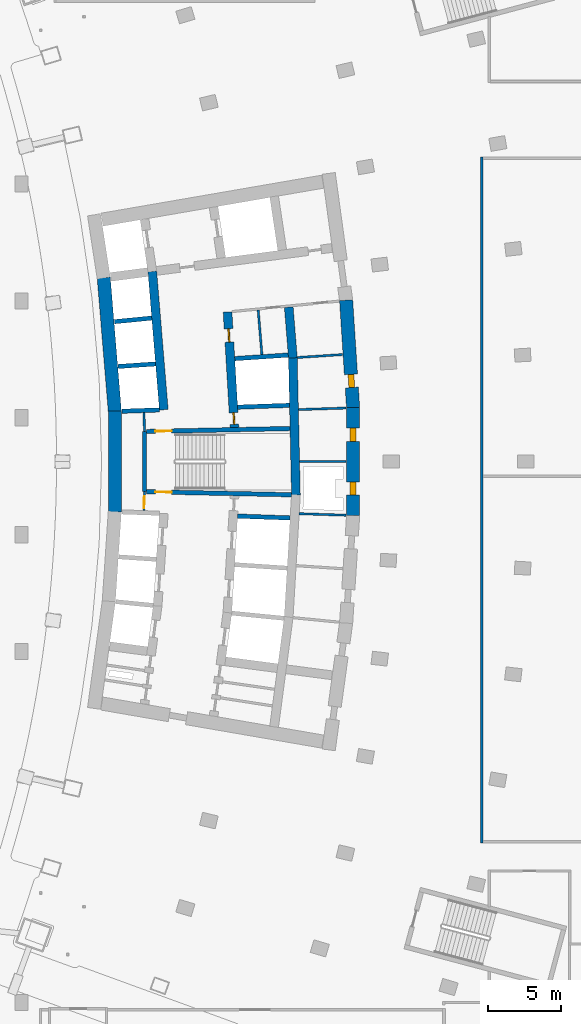
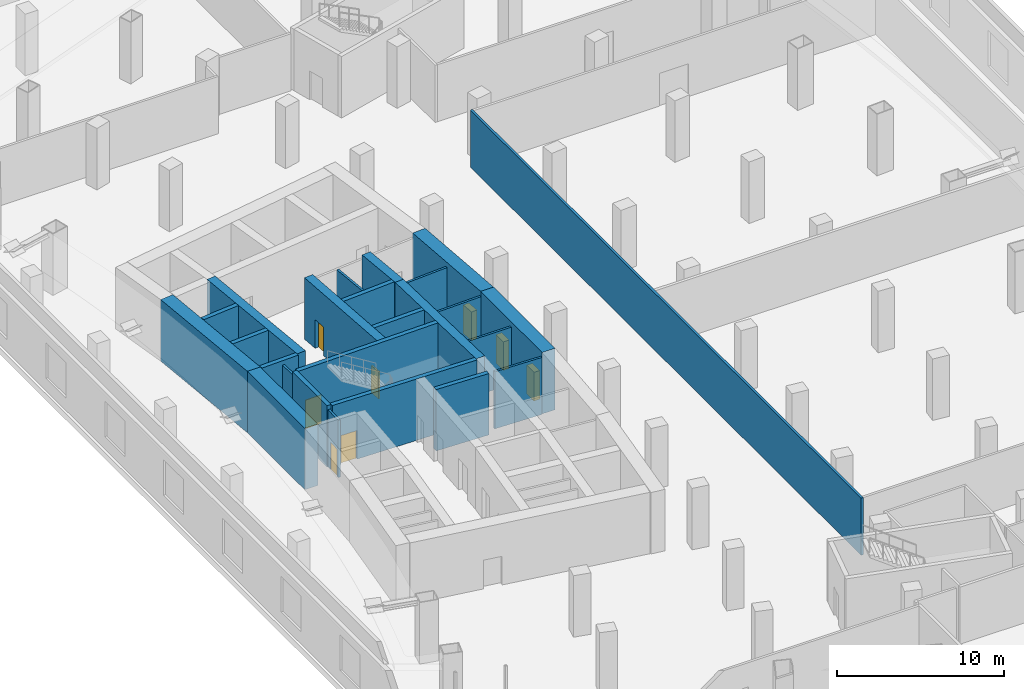
# One storey, part 15 of 19: 25 walls, 8 doors, 8 openings.
"""IFC4 building model written with IfcOpenShell, lengths in metres."""

from ifc_helpers import new_model, si_unit, direction, frame, frame_2d, origin, place, context, subcontext, project, spatial, rectangle, extrude, material, layer, layer_set, type_object, element, fill, save


model = new_model("IFC4")

# Units and contexts
model_context = context("Model", 3, precision=1e-05, world=origin(), true_north=direction((0.0, 1.0)))
body_context = subcontext(model_context, "Body", "Model", "MODEL_VIEW")
ifc_project = project(units=[si_unit("LENGTHUNIT", "METRE"), si_unit("AREAUNIT", "SQUARE_METRE"), si_unit("VOLUMEUNIT", "CUBIC_METRE"), si_unit("PLANEANGLEUNIT", "RADIAN"), si_unit("MASSUNIT", "GRAM", prefix="KILO")], contexts=[model_context])

# Site, building, storey
site_placement = place(None, origin())
site = spatial("IfcSite", under=ifc_project, at=site_placement, CompositionType="ELEMENT")
building_placement = place(site_placement, origin())
building = spatial("IfcBuilding", under=site, at=building_placement, Name="Alderwake Tower", CompositionType="ELEMENT")
storey_placement = place(building_placement, frame((0.0, 0.0, 27.5)))
storey = spatial("IfcBuildingStorey", under=building, at=storey_placement, Name="L05", CompositionType="ELEMENT", Elevation=27.5)

# Wall, opening, door
ifc_material_1 = material(Name="Gypsum shaft wall system, rated")
ifc_layer_1 = layer(ifc_material_1, 0.14990234375)
ifc_layer_set_1 = layer_set([ifc_layer_1], Name="Core room partition 150")
wall_type_1 = type_object("IfcWallType", Name="Core room partition 150", PredefinedType="PARTITIONING", material=ifc_layer_set_1)
wall_1_placement = place(storey_placement, frame((18.918701171875, 58.94384765625, 0.0), z_axis=(0.0, 0.0, 1.0), x_axis=(-0.027348257573, -0.999625966453, 0.0)))
wall_1 = element("IfcWall", 1, at=wall_1_placement, inside=storey, type_object=wall_type_1, Name="CW/L05/PA+24_-37", PredefinedType="PARTITIONING", context=body_context, shape_type="SweptSolid", body=[
    extrude(rectangle(XDim=1.29443359375, YDim=0.14990234375, at=frame_2d((0.647216796875, 0.0))), origin(), (0.0, 0.0, 1.0), 4.179931640625),
])
opening_1_placement = place(wall_1_placement, frame((0.322998046875, 0.0, 0.0)))
opening_1 = element("IfcOpeningElement", 2, at=opening_1_placement, cuts=wall_1, Name="Opening C004", PredefinedType="OPENING", context=body_context, shape_type="SweptSolid", body=[
    extrude(rectangle(XDim=0.800048828125, YDim=2.0, at=frame_2d((0.39990234375, 1.0))), frame((0.0, 0.0849609375, 0.0), z_axis=(0.0, -1.0, 0.0), x_axis=(1.0, 0.0, 0.0)), (0.0, 0.0, 1.0), 0.169921875),
])
ifc_material_2 = material(Name="Painted steel leaf, rated", Category="steel")
door_type_1 = type_object("IfcDoorType", Name="Riser access door 800", OperationType="SINGLE_SWING_LEFT", PredefinedType="DOOR", material=ifc_material_2)
door_1_placement = place(opening_1_placement, origin())
door_1 = element("IfcDoor", 3, at=door_1_placement, inside=storey, type_object=door_type_1, Name="Riser access door", OperationType="SINGLE_SWING_RIGHT", OverallHeight=2.0, OverallWidth=0.800048828125, PredefinedType="DOOR", context=body_context, shape_type="SweptSolid", body=[
    extrude(rectangle(XDim=0.800048828125, YDim=2.0, at=frame_2d((0.39990234375, 1.0))), frame((0.0, 0.02490234375, 0.0), z_axis=(0.0, -1.0, 0.0), x_axis=(1.0, 0.0, 0.0)), (0.0, 0.0, 1.0), 0.050048828125),
])
fill(opening_1, door_1)

# Walls
wall_2_placement = place(storey_placement, frame((18.918701171875, 63.05517578125, 0.0), z_axis=(0.0, 0.0, 1.0), x_axis=(-0.027327648352, 0.999626530078, 0.0)))
element("IfcWall", 4, at=wall_2_placement, inside=storey, type_object=wall_type_1, Name="CW/L05/PA+24_+22", PredefinedType="PARTITIONING", context=body_context, shape_type="SweptSolid", body=[
    extrude(rectangle(XDim=1.29541015625, YDim=0.14990234375, at=frame_2d((0.647705078125, 0.0))), origin(), (0.0, 0.0, 1.0), 4.179931640625),
])
wall_3_placement = place(storey_placement, frame((26.94970703125, 68.3203125, 0.0), z_axis=(0.0, 0.0, 1.0), x_axis=(-0.082463525817, 0.996594083321, 0.0)))
element("IfcWall", 5, at=wall_3_placement, inside=storey, type_object=wall_type_1, Name="CW/L05/PA+107_+70", PredefinedType="PARTITIONING", context=body_context, shape_type="SweptSolid", body=[
    extrude(rectangle(XDim=3.055419921875, YDim=0.14990234375, at=frame_2d((1.52783203125, 0.0))), origin(), (0.0, 0.0, 1.0), 4.179931640625),
])
wall_4_placement = place(storey_placement, frame((29.50048828125, 57.4384765625, 0.0), z_axis=(0.0, 0.0, 1.0), x_axis=(0.999470508275, -0.032537717924, 0.0)))
element("IfcWall", 6, at=wall_4_placement, inside=storey, type_object=wall_type_1, Name="CW/L05/PR-34_+128", PredefinedType="PARTITIONING", context=body_context, shape_type="SweptSolid", body=[
    extrude(rectangle(XDim=3.21142578125, YDim=0.14990234375, at=frame_2d((1.605712890625, 0.0))), origin(), (0.0, 0.0, 1.0), 4.179931640625),
])
wall_5_placement = place(storey_placement, frame((29.526123046875, 61.0, 0.0), z_axis=(0.0, 0.0, 1.0), x_axis=(1.0, 0.0, 0.0)))
element("IfcWall", 7, at=wall_5_placement, inside=storey, type_object=wall_type_1, Name="CW/L05/PR+0_+128", PredefinedType="PARTITIONING", context=body_context, shape_type="SweptSolid", body=[
    extrude(rectangle(XDim=3.18408203125, YDim=0.14990234375, at=frame_2d((1.592041015625, 0.0))), origin(), (0.0, 0.0, 1.0), 4.179931640625),
])
wall_6_placement = place(storey_placement, frame((29.447509765625, 64.559814453125, 0.0), z_axis=(0.0, 0.0, 1.0), x_axis=(0.999470664956, 0.032532904763, 0.0)))
element("IfcWall", 8, at=wall_6_placement, inside=storey, type_object=wall_type_1, Name="CW/L05/PR+34_+128", PredefinedType="PARTITIONING", context=body_context, shape_type="SweptSolid", body=[
    extrude(rectangle(XDim=3.264404296875, YDim=0.14990234375, at=frame_2d((1.63232421875, 0.0))), origin(), (0.0, 0.0, 1.0), 4.179931640625),
])
wall_7_placement = place(storey_placement, frame((29.36865234375, 68.1220703125, 0.0), z_axis=(0.0, 0.0, 1.0), x_axis=(0.997885090452, 0.065002663433, 0.0)))
element("IfcWall", 9, at=wall_7_placement, inside=storey, type_object=wall_type_1, Name="CW/L05/PR+68_+128", PredefinedType="PARTITIONING", context=body_context, shape_type="SweptSolid", body=[
    extrude(rectangle(XDim=3.10986328125, YDim=0.14990234375, at=frame_2d((1.554931640625, 0.0))), origin(), (0.0, 0.0, 1.0), 4.179931640625),
])
ifc_material_3 = material(Name="Concrete C70/85", Category="concrete")
ifc_layer_2 = layer(ifc_material_3, 0.89990234375)
ifc_layer_set_2 = layer_set([ifc_layer_2], Name="Core wall outer 900 C70-85")
wall_type_2 = type_object("IfcWallType", Name="Core wall outer 900 C70-85", PredefinedType="SHEAR", material=ifc_layer_set_2)
wall_8_placement = place(storey_placement, frame((16.889404296875, 57.5546875, 0.0), z_axis=(0.0, 0.0, 1.0), x_axis=(0.0, 1.0, 0.0)))
element("IfcWall", 10, at=wall_8_placement, inside=storey, type_object=wall_type_2, Name="Core wall CW.043", PredefinedType="SHEAR", context=body_context, shape_type="SweptSolid", body=[
    extrude(rectangle(XDim=6.89404296875, YDim=0.89990234375, at=frame_2d((3.447021484375, 0.0))), origin(), (0.0, 0.0, 1.0), 4.5),
])
wall_9_placement = place(storey_placement, frame((16.890869140625, 64.41064453125, 0.0), z_axis=(0.0, 0.0, 1.0), x_axis=(-0.082624275373, 0.996580768989, 0.0)))
element("IfcWall", 11, at=wall_9_placement, inside=storey, type_object=wall_type_2, Name="Core wall CW.040", PredefinedType="SHEAR", context=body_context, shape_type="SweptSolid", body=[
    extrude(rectangle(XDim=9.210205078125, YDim=0.89990234375, at=frame_2d((4.60498046875, 0.0))), origin(), (0.0, 0.0, 1.0), 4.5),
])

# Wall, openings, doors
wall_10_placement = place(storey_placement, frame((33.190185546875, 64.69677734375, 0.0), z_axis=(0.0, 0.0, 1.0), x_axis=(0.0, -1.0, 0.0)))
wall_10 = element("IfcWall", 12, at=wall_10_placement, inside=storey, type_object=wall_type_2, Name="Core wall CW.013", PredefinedType="SHEAR", context=body_context, shape_type="SweptSolid", body=[
    extrude(rectangle(XDim=7.3935546875, YDim=0.89990234375, at=frame_2d((3.69677734375, 0.0))), origin(), (0.0, 0.0, 1.0), 4.5),
])
opening_2_placement = place(wall_10_placement, frame((5.087646484375, 0.0, 0.0)))
opening_2 = element("IfcOpeningElement", 13, at=opening_2_placement, cuts=wall_10, Name="Opening C031", PredefinedType="OPENING", context=body_context, shape_type="SweptSolid", body=[
    extrude(rectangle(XDim=0.89990234375, YDim=2.10009765625, at=frame_2d((0.449951171875, 1.050048828125))), frame((0.0, 0.4599609375, 0.0), z_axis=(0.0, -1.0, 0.0), x_axis=(1.0, 0.0, 0.0)), (0.0, 0.0, 1.0), 0.919921875),
])
opening_3_placement = place(wall_10_placement, frame((1.405517578125, 0.0, 0.0)))
opening_3 = element("IfcOpeningElement", 14, at=opening_3_placement, cuts=wall_10, Name="Opening C034", PredefinedType="OPENING", context=body_context, shape_type="SweptSolid", body=[
    extrude(rectangle(XDim=0.89990234375, YDim=2.10009765625, at=frame_2d((0.449951171875, 1.050048828125))), frame((0.0, 0.4599609375, 0.0), z_axis=(0.0, -1.0, 0.0), x_axis=(1.0, 0.0, 0.0)), (0.0, 0.0, 1.0), 0.919921875),
])
ifc_material_4 = material(Name="Painted steel leaf", Category="steel")
door_type_2 = type_object("IfcDoorType", Name="Core room door 900", OperationType="SINGLE_SWING_LEFT", PredefinedType="DOOR", material=ifc_material_4)
door_2_placement = place(opening_2_placement, origin())
door_2 = element("IfcDoor", 15, at=door_2_placement, inside=storey, type_object=door_type_2, Name="Room door", OperationType="SINGLE_SWING_RIGHT", OverallHeight=2.10009765625, OverallWidth=0.89990234375, PredefinedType="DOOR", context=body_context, shape_type="SweptSolid", body=[
    extrude(rectangle(XDim=0.89990234375, YDim=2.10009765625, at=frame_2d((0.449951171875, 1.050048828125))), frame((0.0, 0.199951171875, 0.0), z_axis=(0.0, -1.0, 0.0), x_axis=(1.0, 0.0, 0.0)), (0.0, 0.0, 1.0), 0.39990234375),
])
fill(opening_2, door_2)
door_3_placement = place(opening_3_placement, origin())
door_3 = element("IfcDoor", 16, at=door_3_placement, inside=storey, type_object=door_type_2, Name="Room door", OperationType="SINGLE_SWING_LEFT", OverallHeight=2.10009765625, OverallWidth=0.89990234375, PredefinedType="DOOR", context=body_context, shape_type="SweptSolid", body=[
    extrude(rectangle(XDim=0.89990234375, YDim=2.10009765625, at=frame_2d((0.449951171875, 1.050048828125))), frame((0.0, 0.199951171875, 0.0), z_axis=(0.0, -1.0, 0.0), x_axis=(1.0, 0.0, 0.0)), (0.0, 0.0, 1.0), 0.39990234375),
])
fill(opening_3, door_3)

# Wall, opening, door
wall_11_placement = place(storey_placement, frame((32.710693359375, 72.04541015625, 0.0), z_axis=(0.0, 0.0, 1.0), x_axis=(0.064976219143, -0.997886812693, 0.0)))
wall_11 = element("IfcWall", 17, at=wall_11_placement, inside=storey, type_object=wall_type_2, Name="Core wall CW.010", PredefinedType="SHEAR", context=body_context, shape_type="SweptSolid", body=[
    extrude(rectangle(XDim=7.39453125, YDim=0.89990234375, at=frame_2d((3.697265625, 0.0))), origin(), (0.0, 0.0, 1.0), 4.5),
])
opening_4_placement = place(wall_11_placement, frame((5.089111328125, 0.0, 0.0)))
opening_4 = element("IfcOpeningElement", 18, at=opening_4_placement, cuts=wall_11, Name="Opening C035", PredefinedType="OPENING", context=body_context, shape_type="SweptSolid", body=[
    extrude(rectangle(XDim=0.89990234375, YDim=2.10009765625, at=frame_2d((0.449951171875, 1.050048828125))), frame((0.0, 0.4599609375, 0.0), z_axis=(0.0, -1.0, 0.0), x_axis=(1.0, 0.0, 0.0)), (0.0, 0.0, 1.0), 0.919921875),
])
door_4_placement = place(opening_4_placement, origin())
door_4 = element("IfcDoor", 19, at=door_4_placement, inside=storey, type_object=door_type_2, Name="Room door", OperationType="SINGLE_SWING_RIGHT", OverallHeight=2.10009765625, OverallWidth=0.89990234375, PredefinedType="DOOR", context=body_context, shape_type="SweptSolid", body=[
    extrude(rectangle(XDim=0.89990234375, YDim=2.10009765625, at=frame_2d((0.449951171875, 1.050048828125))), frame((0.0, 0.199951171875, 0.0), z_axis=(0.0, -1.0, 0.0), x_axis=(1.0, 0.0, 0.0)), (0.0, 0.0, 1.0), 0.39990234375),
])
fill(opening_4, door_4)

# Walls
ifc_material_5 = material(Name="Concrete C70/85", Category="concrete")
ifc_layer_3 = layer(ifc_material_5, 0.300048828125)
ifc_layer_set_3 = layer_set([ifc_layer_3], Name="Core wall shaft 300 C70-85")
wall_type_3 = type_object("IfcWallType", Name="Core wall shaft 300 C70-85", PredefinedType="SHEAR", material=ifc_layer_set_3)
wall_12_placement = place(storey_placement, frame((25.29052734375, 57.27294921875, 0.0), z_axis=(0.0, 0.0, 1.0), x_axis=(0.99937585491, -0.035325636908, 0.0)))
element("IfcWall", 20, at=wall_12_placement, inside=storey, type_object=wall_type_3, Name="Core wall CW.077", PredefinedType="SHEAR", context=body_context, shape_type="SweptSolid", body=[
    extrude(rectangle(XDim=3.59375, YDim=0.300048828125, at=frame_2d((1.796875, 0.0))), origin(), (0.0, 0.0, 1.0), 4.5),
])
wall_13_placement = place(storey_placement, frame((17.369384765625, 64.446533203125, 0.0), z_axis=(0.0, 0.0, 1.0), x_axis=(0.999371660382, 0.035444102817, 0.0)))
element("IfcWall", 21, at=wall_13_placement, inside=storey, type_object=wall_type_3, Name="Core wall CW.059", PredefinedType="SHEAR", context=body_context, shape_type="SweptSolid", body=[
    extrude(rectangle(XDim=2.5693359375, YDim=0.300048828125, at=frame_2d((1.28466796875, 0.0))), origin(), (0.0, 0.0, 1.0), 4.5),
])
wall_14_placement = place(storey_placement, frame((25.291259765625, 64.72705078125, 0.0), z_axis=(0.0, 0.0, 1.0), x_axis=(0.999373231824, 0.035399767136, 0.0)))
element("IfcWall", 22, at=wall_14_placement, inside=storey, type_object=wall_type_3, Name="Core wall CW.060", PredefinedType="SHEAR", context=body_context, shape_type="SweptSolid", body=[
    extrude(rectangle(XDim=3.5517578125, YDim=0.300048828125, at=frame_2d((1.77587890625, 0.0))), origin(), (0.0, 0.0, 1.0), 4.5),
])
wall_15_placement = place(storey_placement, frame((17.115478515625, 67.510498046875, 0.0), z_axis=(0.0, 0.0, 1.0), x_axis=(0.99775517309, 0.06696726493, 0.0)))
element("IfcWall", 23, at=wall_15_placement, inside=storey, type_object=wall_type_3, Name="Core wall CW.062", PredefinedType="SHEAR", context=body_context, shape_type="SweptSolid", body=[
    extrude(rectangle(XDim=2.566650390625, YDim=0.300048828125, at=frame_2d((1.283203125, 0.0))), origin(), (0.0, 0.0, 1.0), 4.5),
])
wall_16_placement = place(storey_placement, frame((25.09228515625, 68.04541015625, 0.0), z_axis=(0.0, 0.0, 1.0), x_axis=(0.997760946222, 0.066881194621, 0.0)))
element("IfcWall", 24, at=wall_16_placement, inside=storey, type_object=wall_type_3, Name="Core wall CW.063", PredefinedType="SHEAR", context=body_context, shape_type="SweptSolid", body=[
    extrude(rectangle(XDim=3.668701171875, YDim=0.300048828125, at=frame_2d((1.83447265625, 0.0))), origin(), (0.0, 0.0, 1.0), 4.5),
])
wall_17_placement = place(storey_placement, frame((16.86181640625, 70.571533203125, 0.0), z_axis=(0.0, 0.0, 1.0), x_axis=(0.995151424955, 0.098354671516, 0.0)))
element("IfcWall", 25, at=wall_17_placement, inside=storey, type_object=wall_type_3, Name="Core wall CW.050", PredefinedType="SHEAR", context=body_context, shape_type="SweptSolid", body=[
    extrude(rectangle(XDim=2.566650390625, YDim=0.300048828125, at=frame_2d((1.283203125, 0.0))), origin(), (0.0, 0.0, 1.0), 4.5),
])
ifc_material_6 = material(Name="Concrete C70/85", Category="concrete")
ifc_layer_4 = layer(ifc_material_6, 0.60009765625)
ifc_layer_set_4 = layer_set([ifc_layer_4], Name="Core wall spine 600 C70-85")
wall_type_4 = type_object("IfcWallType", Name="Core wall spine 600 C70-85", PredefinedType="SHEAR", material=ifc_layer_set_4)
wall_18_placement = place(storey_placement, frame((20.2373046875, 64.548095703125, 0.0), z_axis=(0.0, 0.0, 1.0), x_axis=(-0.082626598613, 0.996580576372, 0.0)))
element("IfcWall", 26, at=wall_18_placement, inside=storey, type_object=wall_type_4, Name="Core wall CW.031", PredefinedType="SHEAR", context=body_context, shape_type="SweptSolid", body=[
    extrude(rectangle(XDim=9.50244140625, YDim=0.60009765625, at=frame_2d((4.751220703125, 0.0))), origin(), (0.0, 0.0, 1.0), 4.5),
])

# Wall, openings, doors
wall_19_placement = place(storey_placement, frame((25.073974609375, 63.335693359375, 0.0), z_axis=(0.0, 0.0, 1.0), x_axis=(-0.059848641072, 0.998207463487, 0.0)))
wall_19 = element("IfcWall", 27, at=wall_19_placement, inside=storey, type_object=wall_type_4, Name="Core wall CW.045", PredefinedType="SHEAR", context=body_context, shape_type="SweptSolid", body=[
    extrude(rectangle(XDim=7.913818359375, YDim=0.60009765625, at=frame_2d((3.95703125, 0.0))), origin(), (0.0, 0.0, 1.0), 4.5),
])
opening_5_placement = place(wall_19_placement, frame((0.216064453125, 0.0, 0.0)))
opening_5 = element("IfcOpeningElement", 28, at=opening_5_placement, cuts=wall_19, Name="Opening C005", PredefinedType="OPENING", context=body_context, shape_type="SweptSolid", body=[
    extrude(rectangle(XDim=0.800048828125, YDim=2.0, at=frame_2d((0.39990234375, 1.0))), frame((0.0, 0.31005859375, 0.0), z_axis=(0.0, -1.0, 0.0), x_axis=(1.0, 0.0, 0.0)), (0.0, 0.0, 1.0), 0.6201171875),
])
opening_6_placement = place(wall_19_placement, frame((5.856201171875, 0.0, 0.0)))
opening_6 = element("IfcOpeningElement", 29, at=opening_6_placement, cuts=wall_19, Name="Opening C024", PredefinedType="OPENING", context=body_context, shape_type="SweptSolid", body=[
    extrude(rectangle(XDim=0.89990234375, YDim=2.10009765625, at=frame_2d((0.449951171875, 1.050048828125))), frame((0.0, 0.31005859375, 0.0), z_axis=(0.0, -1.0, 0.0), x_axis=(1.0, 0.0, 0.0)), (0.0, 0.0, 1.0), 0.6201171875),
])
door_5_placement = place(opening_6_placement, origin())
door_5 = element("IfcDoor", 30, at=door_5_placement, inside=storey, type_object=door_type_2, Name="Room door", OperationType="SINGLE_SWING_LEFT", OverallHeight=2.10009765625, OverallWidth=0.89990234375, PredefinedType="DOOR", context=body_context, shape_type="SweptSolid", body=[
    extrude(rectangle(XDim=0.89990234375, YDim=2.10009765625, at=frame_2d((0.449951171875, 1.050048828125))), frame((0.0, 0.050048828125, 0.0), z_axis=(0.0, -1.0, 0.0), x_axis=(1.0, 0.0, 0.0)), (0.0, 0.0, 1.0), 0.10009765625),
])
fill(opening_6, door_5)
door_6_placement = place(opening_5_placement, origin())
door_6 = element("IfcDoor", 31, at=door_6_placement, inside=storey, type_object=door_type_1, Name="Riser access door", OperationType="SINGLE_SWING_LEFT", OverallHeight=2.0, OverallWidth=0.800048828125, PredefinedType="DOOR", context=body_context, shape_type="SweptSolid", body=[
    extrude(rectangle(XDim=0.800048828125, YDim=2.0, at=frame_2d((0.39990234375, 1.0))), frame((0.0, 0.050048828125, 0.0), z_axis=(0.0, -1.0, 0.0), x_axis=(1.0, 0.0, 0.0)), (0.0, 0.0, 1.0), 0.10009765625),
])
fill(opening_5, door_6)

# Walls
wall_20_placement = place(storey_placement, frame((29.276611328125, 58.714111328125, 0.0), z_axis=(0.0, 0.0, 1.0), x_axis=(-0.022102514973, 0.999755709577, 0.0)))
element("IfcWall", 32, at=wall_20_placement, inside=storey, type_object=wall_type_4, Name="Core wall CW.007", PredefinedType="SHEAR", context=body_context, shape_type="SweptSolid", body=[
    extrude(rectangle(XDim=9.39990234375, YDim=0.60009765625, at=frame_2d((4.699951171875, 0.0))), origin(), (0.0, 0.0, 1.0), 4.5),
])
wall_21_placement = place(storey_placement, frame((29.069580078125, 68.09326171875, 0.0), z_axis=(0.0, 0.0, 1.0), x_axis=(-0.080849700234, 0.996726304445, 0.0)))
element("IfcWall", 33, at=wall_21_placement, inside=storey, type_object=wall_type_4, Name="Core wall CW.003", PredefinedType="SHEAR", context=body_context, shape_type="SweptSolid", body=[
    extrude(rectangle(XDim=3.48779296875, YDim=0.60009765625, at=frame_2d((1.743896484375, 0.0))), origin(), (0.0, 0.0, 1.0), 4.5),
])
ifc_material_7 = material(Name="Concrete C70/85", Category="concrete")
ifc_layer_5 = layer(ifc_material_7, 0.300048828125)
ifc_layer_set_5 = layer_set([ifc_layer_5], Name="Core wall stair enclosure 300 C70-85")
wall_type_5 = type_object("IfcWallType", Name="Core wall stair enclosure 300 C70-85", PredefinedType="SHEAR", material=ifc_layer_set_5)
wall_22_placement = place(storey_placement, frame((18.918701171875, 58.94091796875, 0.0), z_axis=(0.0, 0.0, 1.0), x_axis=(0.0, 1.0, 0.0)))
element("IfcWall", 34, at=wall_22_placement, inside=storey, type_object=wall_type_5, Name="Core wall CW.024", PredefinedType="SHEAR", context=body_context, shape_type="SweptSolid", body=[
    extrude(rectangle(XDim=4.119384765625, YDim=0.300048828125, at=frame_2d((2.0595703125, 0.0))), origin(), (0.0, 0.0, 1.0), 4.5),
])

# Wall, opening, door
wall_23_placement = place(storey_placement, frame((28.976318359375, 58.733154296875, 0.0), z_axis=(0.0, 0.0, 1.0), x_axis=(-0.999783804252, 0.020792901552, 0.0)))
wall_23 = element("IfcWall", 35, at=wall_23_placement, inside=storey, type_object=wall_type_5, Name="Core wall CW.074", PredefinedType="SHEAR", context=body_context, shape_type="SweptSolid", body=[
    extrude(rectangle(XDim=9.909912109375, YDim=0.300048828125, at=frame_2d((4.955078125, 0.0))), origin(), (0.0, 0.0, 1.0), 4.5),
])
opening_7_placement = place(wall_23_placement, frame((8.209716796875, 0.0, 0.0)))
opening_7 = element("IfcOpeningElement", 36, at=opening_7_placement, cuts=wall_23, Name="Opening C063", PredefinedType="OPENING", context=body_context, shape_type="SweptSolid", body=[
    extrude(rectangle(XDim=1.10009765625, YDim=2.10009765625, at=frame_2d((0.550048828125, 1.050048828125))), frame((0.0, 0.159912109375, 0.0), z_axis=(0.0, -1.0, 0.0), x_axis=(1.0, 0.0, 0.0)), (0.0, 0.0, 1.0), 0.320068359375),
])
ifc_material_8 = material(Name="Steel-framed fire door leaf", Category="steel")
door_type_3 = type_object("IfcDoorType", Name="Core stair door 1100 fire-rated", OperationType="SINGLE_SWING_LEFT", PredefinedType="DOOR", material=ifc_material_8)
door_7_placement = place(opening_7_placement, origin())
door_7 = element("IfcDoor", 37, at=door_7_placement, inside=storey, type_object=door_type_3, Name="Stair door", OperationType="SINGLE_SWING_LEFT", OverallHeight=2.10009765625, OverallWidth=1.10009765625, PredefinedType="DOOR", context=body_context, shape_type="SweptSolid", body=[
    extrude(rectangle(XDim=1.10009765625, YDim=2.10009765625, at=frame_2d((0.550048828125, 1.050048828125))), frame((0.0, 0.02490234375, 0.0), z_axis=(0.0, -1.0, 0.0), x_axis=(1.0, 0.0, 0.0)), (0.0, 0.0, 1.0), 0.050048828125),
])
fill(opening_7, door_7)

wall_24_placement = place(storey_placement, frame((19.068603515625, 63.060791015625, 0.0), z_axis=(0.0, 0.0, 1.0), x_axis=(0.999783520771, 0.020806527678, 0.0)))
wall_24 = element("IfcWall", 38, at=wall_24_placement, inside=storey, type_object=wall_type_5, Name="Core wall CW.057", PredefinedType="SHEAR", context=body_context, shape_type="SweptSolid", body=[
    extrude(rectangle(XDim=9.8095703125, YDim=0.300048828125, at=frame_2d((4.90478515625, 0.0))), origin(), (0.0, 0.0, 1.0), 4.5),
])
opening_8_placement = place(wall_24_placement, frame((0.60009765625, 0.0, 0.0)))
opening_8 = element("IfcOpeningElement", 39, at=opening_8_placement, cuts=wall_24, Name="Opening C064", PredefinedType="OPENING", context=body_context, shape_type="SweptSolid", body=[
    extrude(rectangle(XDim=1.10009765625, YDim=2.10009765625, at=frame_2d((0.550048828125, 1.050048828125))), frame((0.0, 0.159912109375, 0.0), z_axis=(0.0, -1.0, 0.0), x_axis=(1.0, 0.0, 0.0)), (0.0, 0.0, 1.0), 0.320068359375),
])
door_8_placement = place(opening_8_placement, origin())
door_8 = element("IfcDoor", 40, at=door_8_placement, inside=storey, type_object=door_type_3, Name="Stair door", OperationType="SINGLE_SWING_RIGHT", OverallHeight=2.10009765625, OverallWidth=1.10009765625, PredefinedType="DOOR", context=body_context, shape_type="SweptSolid", body=[
    extrude(rectangle(XDim=1.10009765625, YDim=2.10009765625, at=frame_2d((0.550048828125, 1.050048828125))), frame((0.0, 0.02490234375, 0.0), z_axis=(0.0, -1.0, 0.0), x_axis=(1.0, 0.0, 0.0)), (0.0, 0.0, 1.0), 0.050048828125),
])
fill(opening_8, door_8)

# Wall
ifc_material_9 = material(Name="Gypsum board on metal studs, rated")
ifc_layer_6 = layer(ifc_material_9, 0.159912109375)
ifc_layer_set_6 = layer_set([ifc_layer_6], Name="Corridor wall 160")
wall_type_6 = type_object("IfcWallType", Name="Corridor wall 160", PredefinedType="PARTITIONING", material=ifc_layer_set_6)
wall_25_placement = place(storey_placement, frame((42.0, 34.9208984375, 0.0), z_axis=(0.0, 0.0, 1.0), x_axis=(0.0, 1.0, 0.0)))
element("IfcWall", 41, at=wall_25_placement, inside=storey, type_object=wall_type_6, Name="WL/L05/W34", PredefinedType="PARTITIONING", context=body_context, shape_type="SweptSolid", body=[
    extrude(rectangle(XDim=46.9091796875, YDim=0.159912109375, at=frame_2d((23.45458984375, 0.0))), origin(), (0.0, 0.0, 1.0), 4.179931640625),
])

save(model, "model.ifc")
